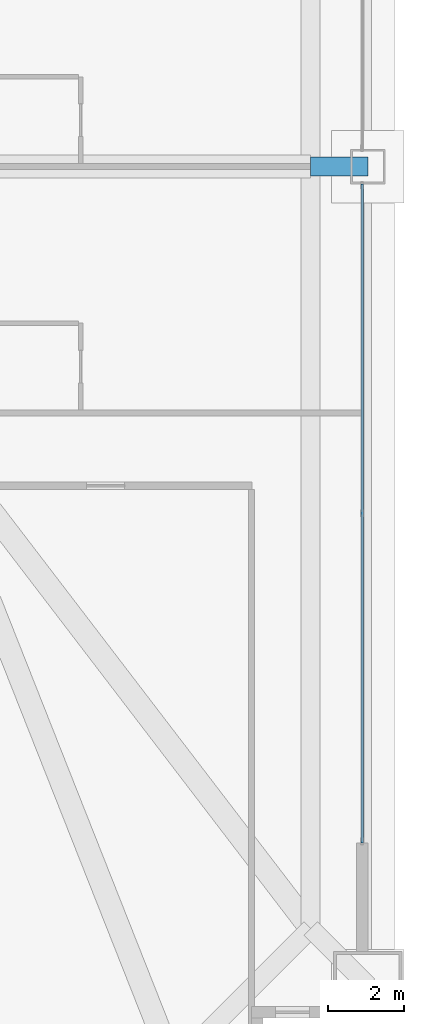
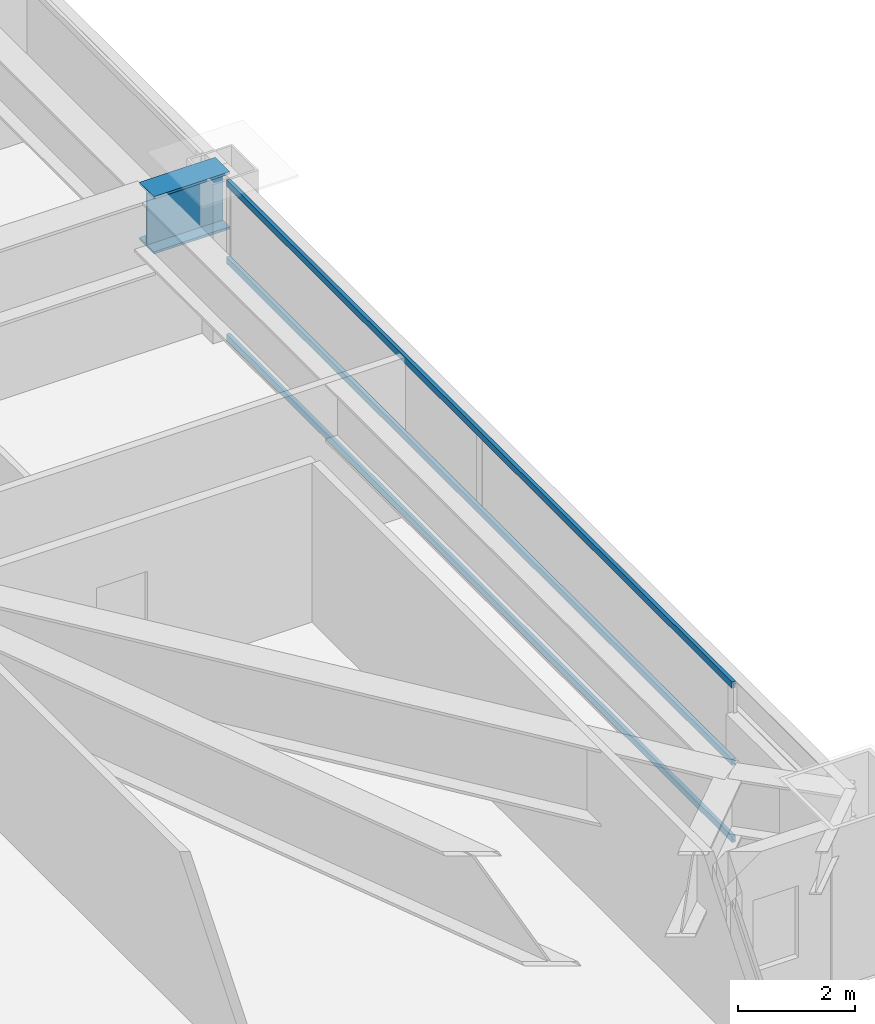
# One storey, part 20 of 44: 3 members, 1 beam, 1 element without a shape of its own.
"""IFC4 building model written with IfcOpenShell, lengths in metres."""

import ifcopenshell
import ifcopenshell.guid

model = None  # the IFC model being written
_history = None  # IfcOwnerHistory: only IFC2X3 demands one
_inside = {}  # id of a spatial element -> (the spatial element, [elements in it])
_under = {}  # id of a project, library or spatial element -> (it, [spatial elements below it])
_declared = {}  # id of a project -> (the project, [libraries it declares])
_typed = {}  # id of a type object -> (the type object, [elements of that type])
_made_of = {}  # id of a material, layer set ... -> (it, [elements and type objects made of it])


def new_model(schema):
    """Start an empty IFC model of exactly this schema.

    Asked for "IFC4X3", IfcOpenShell would pick the latest addendum, in which some entities
    have other attributes; the version numbers below select the first issue.
    IFC2X3 requires an IfcOwnerHistory on every rooted entity: one is made here for all.
    """
    global model, _history
    if schema == "IFC4X3":
        model = ifcopenshell.file(schema_version=(4, 3, 0, 0))
    else:
        model = ifcopenshell.file(schema=schema)
    _inside.clear()
    _under.clear()
    _declared.clear()
    _typed.clear()
    _made_of.clear()
    _history = None
    if model.schema == "IFC2X3":
        org = make("IfcOrganization", Name="unknown")
        user = make(
            "IfcPersonAndOrganization",
            ThePerson=make("IfcPerson", FamilyName="unknown"),
            TheOrganization=org,
        )
        app = make(
            "IfcApplication",
            ApplicationDeveloper=org,
            Version="unknown",
            ApplicationFullName="unknown",
            ApplicationIdentifier="unknown",
        )
        _history = make(
            "IfcOwnerHistory",
            OwningUser=user,
            OwningApplication=app,
            ChangeAction="ADDED",
            CreationDate=0,
        )
    return model


def make(cls, **values):
    """One entity of the class cls with the attributes given. An attribute that is None is left unset."""
    return model.create_entity(
        cls, **{name: value for name, value in values.items() if value is not None}
    )


def rooted(cls, **values):
    """An entity with a GlobalId (a new one), such as an element, a storey or a relation."""
    return make(cls, GlobalId=ifcopenshell.guid.new(), OwnerHistory=_history, **values)


def si_unit(unit_type, name, prefix=None):
    """IfcSIUnit, for example si_unit("LENGTHUNIT", "METRE", prefix="MILLI")."""
    return make("IfcSIUnit", UnitType=unit_type, Prefix=prefix, Name=name)


def assignment(units):
    """IfcUnitAssignment: the units of a project."""
    return None if units is None else make("IfcUnitAssignment", Units=units)


def point(xyz):
    """IfcCartesianPoint."""
    return None if xyz is None else make("IfcCartesianPoint", Coordinates=xyz)


def direction(xyz):
    """IfcDirection."""
    return None if xyz is None else make("IfcDirection", DirectionRatios=xyz)


def frame(location, z_axis=None, x_axis=None):
    """IfcAxis2Placement3D, a coordinate frame: its origin and axes. An axis left out is left unset."""
    return make(
        "IfcAxis2Placement3D",
        Location=point(location),
        Axis=direction(z_axis),
        RefDirection=direction(x_axis),
    )


def frame_2d(location, x_axis=None):
    """IfcAxis2Placement2D, a coordinate frame in the plane: its origin and x axis."""
    return make(
        "IfcAxis2Placement2D", Location=point(location), RefDirection=direction(x_axis)
    )


def origin():
    """The frame at (0, 0, 0) with its axes left unset."""
    return frame((0.0, 0.0, 0.0))


def origin_2d():
    """The frame at (0, 0) in the plane with its x axis left unset."""
    return frame_2d((0.0, 0.0))


def place(relative_to, where):
    """IfcLocalPlacement: puts the frame where relative to a parent placement (None: the world)."""
    return make(
        "IfcLocalPlacement", PlacementRelTo=relative_to, RelativePlacement=where
    )


def context(
    kind, dimensions, precision=None, world=None, true_north=None, identifier=None
):
    """IfcGeometricRepresentationContext, for example the 3D "Model" context."""
    return make(
        "IfcGeometricRepresentationContext",
        ContextIdentifier=identifier,
        ContextType=kind,
        CoordinateSpaceDimension=dimensions,
        Precision=precision,
        WorldCoordinateSystem=world,
        TrueNorth=true_north,
    )


def subcontext(parent, identifier, kind, view, scale=None):
    """IfcGeometricRepresentationSubContext, for example "Body" below "Model"."""
    return make(
        "IfcGeometricRepresentationSubContext",
        ContextIdentifier=identifier,
        ContextType=kind,
        ParentContext=parent,
        TargetScale=scale,
        TargetView=view,
    )


def project(units=None, contexts=None):
    """IfcProject with its units and contexts."""
    return rooted(
        "IfcProject",
        Name="project",
        RepresentationContexts=contexts,
        UnitsInContext=assignment(units),
    )


def spatial(cls, under=None, at=None, **own):
    """A site, building, storey or space (cls), placed at a placement, below another one or the project."""
    s = rooted(cls, ObjectPlacement=at, **own)
    if under is not None:
        _under.setdefault(under.id(), (under, []))[1].append(s)
    return s


def profile(cls, at=None, kind="AREA", **sizes):
    """A parametric profile (cls). Its sizes go by their IFC names, for example OverallWidth=200.0."""
    return make(cls, ProfileType=kind, Position=at, **sizes)


def hollow_rectangle(**sizes):
    """IfcRectangleHollowProfileDef."""
    return profile("IfcRectangleHollowProfileDef", **sizes)


def i_section(**sizes):
    """IfcIShapeProfileDef."""
    return profile("IfcIShapeProfileDef", **sizes)


def extrude(swept, where, along, depth):
    """IfcExtrudedAreaSolid: the profile swept, set in the frame where, extruded along a direction by depth."""
    return make(
        "IfcExtrudedAreaSolid",
        SweptArea=swept,
        Position=where,
        ExtrudedDirection=direction(along),
        Depth=depth,
    )


def shape(context_of_items, identifier, shape_type, items):
    """IfcShapeRepresentation: the items that make up one representation, for example the "Body"."""
    return make(
        "IfcShapeRepresentation",
        ContextOfItems=context_of_items,
        RepresentationIdentifier=identifier,
        RepresentationType=shape_type,
        Items=items,
    )


def source(mapping_origin, context_of_items, identifier, shape_type, items):
    """IfcRepresentationMap: a shape defined once, which mapped items show again and again."""
    return make(
        "IfcRepresentationMap",
        MappingOrigin=mapping_origin,
        MappedRepresentation=shape(context_of_items, identifier, shape_type, items),
    )


def transform(
    local_origin,
    x_axis=None,
    y_axis=None,
    z_axis=None,
    scale=None,
    scale2=None,
    scale3=None,
    uniform=True,
):
    """IfcCartesianTransformationOperator3D, or its non-uniform kind. x_axis, y_axis, z_axis: its Axis1, 2, 3."""
    if uniform:
        return make(
            "IfcCartesianTransformationOperator3D",
            Axis1=direction(x_axis),
            Axis2=direction(y_axis),
            LocalOrigin=point(local_origin),
            Scale=scale,
            Axis3=direction(z_axis),
        )
    return make(
        "IfcCartesianTransformationOperator3DnonUniform",
        Axis1=direction(x_axis),
        Axis2=direction(y_axis),
        LocalOrigin=point(local_origin),
        Scale=scale,
        Axis3=direction(z_axis),
        Scale2=scale2,
        Scale3=scale3,
    )


def mapped(mapping_source, mapping_target):
    """IfcMappedItem: shows the shape of a source again, moved by a transform."""
    return make(
        "IfcMappedItem", MappingSource=mapping_source, MappingTarget=mapping_target
    )


def material(Name=None, Category=None):
    """IfcMaterial."""
    return make("IfcMaterial", Name=Name, Category=Category)


def layer(
    of_material, thickness, ventilated=None, Name=None, Category=None, Priority=None
):
    """IfcMaterialLayer: one layer of a wall or slab, of a material (None: an air gap)."""
    return make(
        "IfcMaterialLayer",
        Material=of_material,
        LayerThickness=thickness,
        IsVentilated=ventilated,
        Name=Name,
        Category=Category,
        Priority=Priority,
    )


def layer_set(layers, Name=None):
    """IfcMaterialLayerSet."""
    return make("IfcMaterialLayerSet", MaterialLayers=layers, LayerSetName=Name)


def material_profile(
    of_material, cross_section, Name=None, Category=None, Priority=None
):
    """IfcMaterialProfile: a cross section and its material."""
    return make(
        "IfcMaterialProfile",
        Name=Name,
        Material=of_material,
        Profile=cross_section,
        Priority=Priority,
        Category=Category,
    )


def profile_set(profiles, Name=None, composite=None):
    """IfcMaterialProfileSet."""
    return make(
        "IfcMaterialProfileSet",
        Name=Name,
        MaterialProfiles=profiles,
        CompositeProfile=composite,
    )


def made_of(thing, what):
    """Note that an element or type object is made of a material, layer set ...; save() writes the relation."""
    if what is not None:
        _made_of.setdefault(what.id(), (what, []))[1].append(thing)
    return thing


def type_object(cls, material=None, **own):
    """A type object (cls), such as IfcWallType, which elements share."""
    return made_of(rooted(cls, **own), material)


def element(
    cls,
    number,
    at=None,
    inside=None,
    cuts=None,
    type_object=None,
    material=None,
    context=None,
    identifier="Body",
    shape_type=None,
    held_by="IfcProductDefinitionShape",
    body=None,
    shapes=None,
    **own,
):
    """One element of the class cls, such as IfcWall. Its Tag is "e" and its number.

    at: its placement. inside: the storey or other place that contains it. cuts: it is an
    opening in that element (IfcRelVoidsElement). A single representation is given by context,
    identifier, shape_type and body (its items); several are given by shapes. held_by: the class
    of the entity that holds the representations. save() writes the other relations.
    """
    e = rooted(cls, Tag="e%d" % number, ObjectPlacement=at, **own)
    if body is not None:
        shapes = [shape(context, identifier, shape_type, body)]
    if shapes is not None:
        e.Representation = make(held_by, Representations=shapes)
    if inside is not None:
        _inside.setdefault(inside.id(), (inside, []))[1].append(e)
    if cuts is not None:
        rooted(
            "IfcRelVoidsElement", RelatingBuildingElement=cuts, RelatedOpeningElement=e
        )
    if type_object is not None:
        _typed.setdefault(type_object.id(), (type_object, []))[1].append(e)
    return made_of(e, material)


def aggregate(whole, parts):
    """IfcRelAggregates: a whole, such as a stair, and the parts it consists of."""
    return rooted("IfcRelAggregates", RelatingObject=whole, RelatedObjects=parts)


def save(model, path):
    """Write the relations noted so far, then the file.

    IfcRelAggregates (storeys below a building ...), IfcRelContainedInSpatialStructure (elements
    in a storey), IfcRelDefinesByType, IfcRelAssociatesMaterial and IfcRelDeclares: one each for
    every whole, place, type object, material and project.
    """
    for whole, parts in _under.values():
        aggregate(whole, parts)
    for where, things in _inside.values():
        rooted(
            "IfcRelContainedInSpatialStructure",
            RelatedElements=things,
            RelatingStructure=where,
        )
    for kind, things in _typed.values():
        rooted("IfcRelDefinesByType", RelatedObjects=things, RelatingType=kind)
    for what, things in _made_of.values():
        rooted("IfcRelAssociatesMaterial", RelatedObjects=things, RelatingMaterial=what)
    for by, libraries in _declared.values():
        rooted("IfcRelDeclares", RelatingContext=by, RelatedDefinitions=libraries)
    model.write(path)


model = new_model("IFC4")

# Units and contexts
model_context = context("Model", 3, precision=1e-05, world=origin(), true_north=direction((0.0, 1.0)))
body_context = subcontext(model_context, "Body", "Model", "MODEL_VIEW")
ifc_project = project(units=[si_unit("LENGTHUNIT", "METRE"), si_unit("AREAUNIT", "SQUARE_METRE"), si_unit("VOLUMEUNIT", "CUBIC_METRE"), si_unit("PLANEANGLEUNIT", "RADIAN"), si_unit("MASSUNIT", "GRAM", prefix="KILO"), si_unit("THERMODYNAMICTEMPERATUREUNIT", "KELVIN"), si_unit("POWERUNIT", "WATT")], contexts=[model_context])

# Site, building, storey
site_placement = place(None, origin())
site = spatial("IfcSite", under=ifc_project, at=site_placement, CompositionType="ELEMENT")
building_placement = place(site_placement, origin())
building = spatial("IfcBuilding", under=site, at=building_placement, Name="Yuzanri Waterfront Tower", CompositionType="ELEMENT")
storey_placement = place(building_placement, frame((0.0, 0.0, 82.0)))
storey = spatial("IfcBuildingStorey", under=building, at=storey_placement, Name="L21", CompositionType="ELEMENT", Elevation=82.0)

# Beam
ifc_material_1 = material(Name="Steel Q420GJC", Category="steel")
ifc_material_profile_1 = material_profile(ifc_material_1, i_section(OverallWidth=0.5, OverallDepth=1.199951171875, WebThickness=0.028076171875, FlangeThickness=0.050048828125, at=origin_2d()), Name="PG 1200x500x28x50")
ifc_profile_set_1 = profile_set([ifc_material_profile_1], Name="Steel Q420GJC")
beam_type = type_object("IfcBeamType", Name="Setback Transfer Girder Q420GJC PG 1200x500", PredefinedType="USERDEFINED", material=ifc_profile_set_1)
shared_shape_1 = source(origin(), body_context, "Body", "SweptSolid", [
    extrude(i_section(OverallWidth=0.5, OverallDepth=1.199951171875, WebThickness=0.028076171875, FlangeThickness=0.050048828125, at=origin_2d()), origin(), (0.0, 0.0, 1.0), 1.5),
])
beam_placement = place(storey_placement, frame((60.60009765625, 25.800048828125, 2.719970703125), z_axis=(1.0, 0.0, 0.0), x_axis=(0.0, 1.0, 0.0)))
element("IfcBeam", 1, at=beam_placement, inside=storey, type_object=beam_type, Name="L21 Setback Step Transfer E2", ObjectType="GIRDER", PredefinedType="USERDEFINED", context=body_context, shape_type="MappedRepresentation", body=[
    mapped(shared_shape_1, transform((0.0, 0.0, 0.0), scale=1.0)),
])

# Curtain wall, members
ifc_material_2 = material(Name="Anodized Architectural Bronze", Category="metal")
ifc_layer = layer(ifc_material_2, 0.159912109375)
ifc_layer_set = layer_set([ifc_layer], Name="Anodized Architectural Bronze")
curtain_wall_type = type_object("IfcCurtainWallType", Name="Anodized Bronze Hotel Lower-Tier Recessed Unitized Curtain Wall 8100", PredefinedType="NOTDEFINED", material=ifc_layer_set)
curtain_wall_placement = place(storey_placement, origin())
curtain_wall = element("IfcCurtainWall", 2, at=curtain_wall_placement, inside=storey, type_object=curtain_wall_type, Name="L21 Curtain Wall CW-L21-EL", PredefinedType="NOTDEFINED")
ifc_material_3 = material(Name="Anodized Architectural Bronze", Category="metal")
ifc_material_profile_2 = material_profile(ifc_material_3, hollow_rectangle(XDim=0.070068359375, YDim=0.135009765625, WallThickness=0.00341796875, at=origin_2d()), Name="CWT 70x135")
ifc_profile_set_2 = profile_set([ifc_material_profile_2], Name="Anodized Architectural Bronze")
member_type = type_object("IfcMemberType", Name="Anodized Bronze Standard Curtain-Wall Transom 70x135", PredefinedType="USERDEFINED", material=ifc_profile_set_2)
shared_shape_2 = source(origin(), body_context, "Body", "SweptSolid", [
    extrude(hollow_rectangle(XDim=0.070068359375, YDim=0.135009765625, WallThickness=0.00341796875, at=origin_2d()), origin(), (0.0, 0.0, 1.0), 17.300048828125),
])
member_1_placement = place(storey_placement, frame((61.949951171875, 8.050048828125, 0.050048828125), z_axis=(0.0, 1.0, 0.0), x_axis=(-1.0, 0.0, 0.0)))
member_1 = element("IfcMember", 3, at=member_1_placement, type_object=member_type, Name="CW-L21-EL Transom 1", ObjectType="TRANSOM", PredefinedType="USERDEFINED", context=body_context, shape_type="MappedRepresentation", body=[
    mapped(shared_shape_2, transform((0.0, 0.0, 0.0), scale=1.0)),
])
member_2_placement = place(storey_placement, frame((61.949951171875, 8.050048828125, 1.659912109375), z_axis=(0.0, 1.0, 0.0), x_axis=(-1.0, 0.0, 0.0)))
member_2 = element("IfcMember", 4, at=member_2_placement, type_object=member_type, Name="CW-L21-EL Transom 2", ObjectType="TRANSOM", PredefinedType="USERDEFINED", context=body_context, shape_type="MappedRepresentation", body=[
    mapped(shared_shape_2, transform((0.0, 0.0, 0.0), scale=1.0)),
])
member_3_placement = place(storey_placement, frame((61.949951171875, 8.050048828125, 3.27001953125), z_axis=(0.0, 1.0, 0.0), x_axis=(-1.0, 0.0, 0.0)))
member_3 = element("IfcMember", 5, at=member_3_placement, type_object=member_type, Name="CW-L21-EL Transom 3", ObjectType="TRANSOM", PredefinedType="USERDEFINED", context=body_context, shape_type="MappedRepresentation", body=[
    mapped(shared_shape_2, transform((0.0, 0.0, 0.0), scale=1.0)),
])
aggregate(curtain_wall, [member_1, member_2, member_3])

save(model, "model.ifc")
